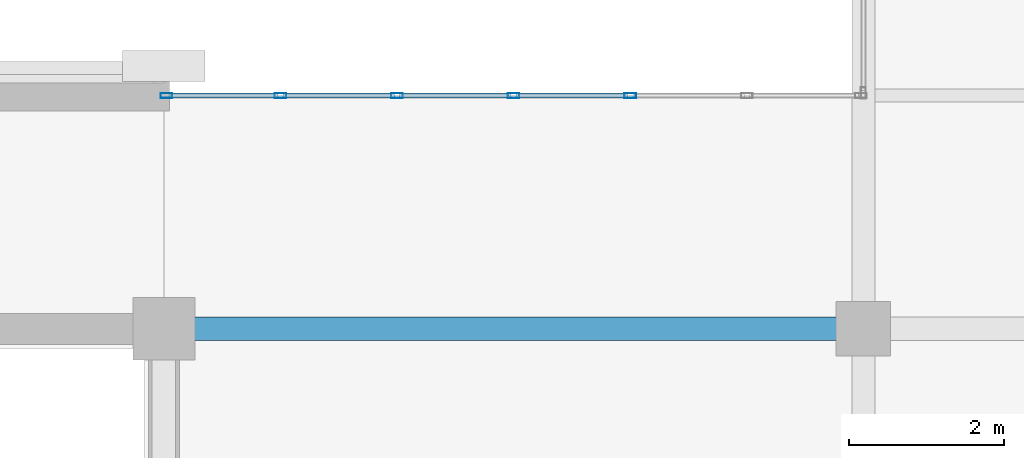
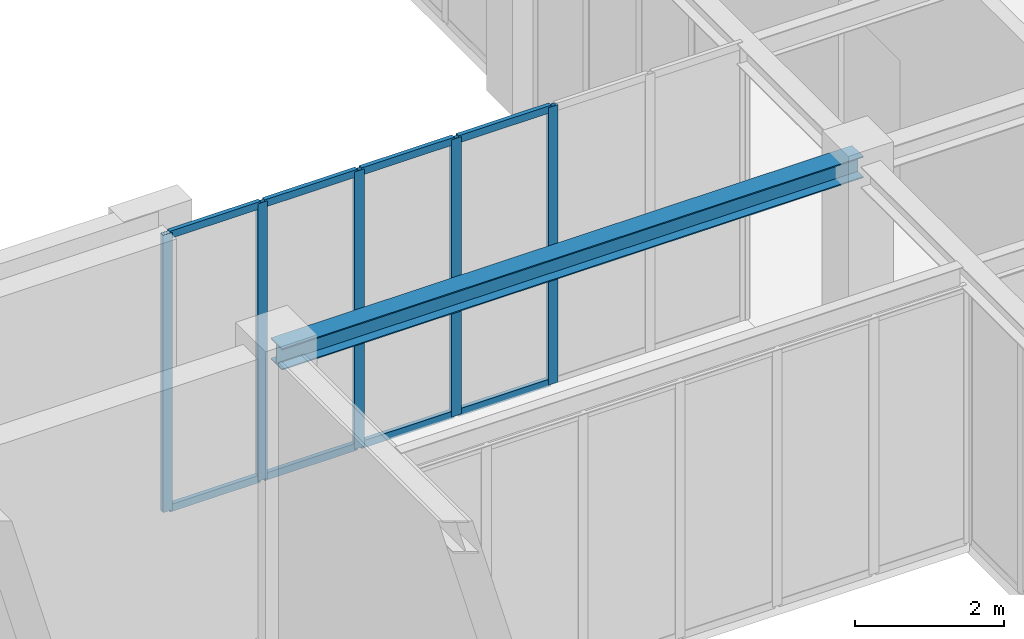
# One storey, part 35 of 92: 13 members, 1 beam, 1 element without a shape of its own.
"""IFC4 building model written with IfcOpenShell, lengths in metres."""

from ifc_helpers import new_model, si_unit, direction, frame, origin, origin_2d, place, context, subcontext, project, spatial, hollow_rectangle, i_section, extrude, material, material_profile, profile_set, type_object, element, aggregate, save


model = new_model("IFC4")

# Units and contexts
model_context = context("Model", 3, precision=1e-05, world=origin(), true_north=direction((0.0, 1.0)))
body_context = subcontext(model_context, "Body", "Model", "MODEL_VIEW")
ifc_project = project(units=[si_unit("LENGTHUNIT", "METRE"), si_unit("AREAUNIT", "SQUARE_METRE"), si_unit("VOLUMEUNIT", "CUBIC_METRE"), si_unit("PLANEANGLEUNIT", "RADIAN"), si_unit("MASSUNIT", "GRAM", prefix="KILO")], contexts=[model_context])

# Site, building, storey
site_placement = place(None, origin())
site = spatial("IfcSite", under=ifc_project, at=site_placement, CompositionType="ELEMENT")
building_placement = place(site_placement, origin())
building = spatial("IfcBuilding", under=site, at=building_placement, Name="Lykobir Media Centre", CompositionType="ELEMENT")
storey_placement = place(building_placement, frame((0.0, 0.0, 5.39990234375)))
storey = spatial("IfcBuildingStorey", under=building, at=storey_placement, Name="L01", CompositionType="ELEMENT", Elevation=5.39990234375)

# Curtain wall, members
ifc_material_1 = material(Name="Anodized Aluminium AW-6060", Category="aluminium")
curtain_wall_type = type_object("IfcCurtainWallType", Name="CW-BRIDGE", PredefinedType="NOTDEFINED", material=ifc_material_1)
curtain_wall_placement = place(storey_placement, origin())
curtain_wall = element("IfcCurtainWall", 1, at=curtain_wall_placement, inside=storey, type_object=curtain_wall_type, Name="Curtain wall CW2-L01-0043", PredefinedType="NOTDEFINED")
ifc_material_profile_1 = material_profile(ifc_material_1, hollow_rectangle(XDim=0.06494140625, YDim=0.14990234375, WallThickness=0.00341796875, at=origin_2d()), Name="ALU MULLION 65x150")
ifc_profile_set_1 = profile_set([ifc_material_profile_1], Name="Anodized Aluminium AW-6060")
member_type_1 = type_object("IfcMemberType", Name="CWM-150", PredefinedType="MULLION", material=ifc_profile_set_1)
member_1_placement = place(storey_placement, frame((81.032470703125, 21.0, 0.0), z_axis=(0.0, 0.0, 1.0), x_axis=(0.0, 1.0, 0.0)))
member_1 = element("IfcMember", 2, at=member_1_placement, type_object=member_type_1, Name="CW2-L01-0043 mullion 1", PredefinedType="MULLION", context=body_context, shape_type="SweptSolid", body=[
    extrude(hollow_rectangle(XDim=0.06494140625, YDim=0.14990234375, WallThickness=0.00341796875, at=origin_2d()), origin(), (0.0, 0.0, 1.0), 4.5400390625),
])
member_2_placement = place(storey_placement, frame((82.5, 21.0, 0.0), z_axis=(0.0, 0.0, 1.0), x_axis=(0.0, 1.0, 0.0)))
member_2 = element("IfcMember", 3, at=member_2_placement, type_object=member_type_1, Name="CW2-L01-0043 mullion 2", PredefinedType="MULLION", context=body_context, shape_type="SweptSolid", body=[
    extrude(hollow_rectangle(XDim=0.06494140625, YDim=0.14990234375, WallThickness=0.00341796875, at=origin_2d()), origin(), (0.0, 0.0, 1.0), 4.5400390625),
])
member_3_placement = place(storey_placement, frame((84.0, 21.0, 0.0), z_axis=(0.0, 0.0, 1.0), x_axis=(0.0, 1.0, 0.0)))
member_3 = element("IfcMember", 4, at=member_3_placement, type_object=member_type_1, Name="CW2-L01-0043 mullion 3", PredefinedType="MULLION", context=body_context, shape_type="SweptSolid", body=[
    extrude(hollow_rectangle(XDim=0.06494140625, YDim=0.14990234375, WallThickness=0.00341796875, at=origin_2d()), origin(), (0.0, 0.0, 1.0), 4.5400390625),
])
member_4_placement = place(storey_placement, frame((85.5, 21.0, 0.0), z_axis=(0.0, 0.0, 1.0), x_axis=(0.0, 1.0, 0.0)))
member_4 = element("IfcMember", 5, at=member_4_placement, type_object=member_type_1, Name="CW2-L01-0043 mullion 4", PredefinedType="MULLION", context=body_context, shape_type="SweptSolid", body=[
    extrude(hollow_rectangle(XDim=0.06494140625, YDim=0.14990234375, WallThickness=0.00341796875, at=origin_2d()), origin(), (0.0, 0.0, 1.0), 4.5400390625),
])
member_5_placement = place(storey_placement, frame((87.0, 21.0, 0.0), z_axis=(0.0, 0.0, 1.0), x_axis=(0.0, 1.0, 0.0)))
member_5 = element("IfcMember", 6, at=member_5_placement, type_object=member_type_1, Name="CW2-L01-0043 mullion 5", PredefinedType="MULLION", context=body_context, shape_type="SweptSolid", body=[
    extrude(hollow_rectangle(XDim=0.06494140625, YDim=0.14990234375, WallThickness=0.00341796875, at=origin_2d()), origin(), (0.0, 0.0, 1.0), 4.5400390625),
])
ifc_material_profile_2 = material_profile(ifc_material_1, hollow_rectangle(XDim=0.06494140625, YDim=0.1201171875, WallThickness=0.0029296875, at=origin_2d()), Name="ALU TRANSOM 65x120")
ifc_profile_set_2 = profile_set([ifc_material_profile_2], Name="Anodized Aluminium AW-6060")
member_type_2 = type_object("IfcMemberType", Name="CWT-120", PredefinedType="USERDEFINED", material=ifc_profile_set_2)
member_6_placement = place(storey_placement, frame((81.06494140625, 21.0, 0.03271484375), z_axis=(1.0, 0.0, 0.0), x_axis=(0.0, 1.0, 0.0)))
member_6 = element("IfcMember", 7, at=member_6_placement, type_object=member_type_2, Name="CW2-L01-0043 transom 1.1", ObjectType="TRANSOM", PredefinedType="USERDEFINED", context=body_context, shape_type="SweptSolid", body=[
    extrude(hollow_rectangle(XDim=0.06494140625, YDim=0.1201171875, WallThickness=0.0029296875, at=origin_2d()), origin(), (0.0, 0.0, 1.0), 1.402587890625),
])
member_7_placement = place(storey_placement, frame((81.06494140625, 21.0, 4.507568359375), z_axis=(1.0, 0.0, 0.0), x_axis=(0.0, 1.0, 0.0)))
member_7 = element("IfcMember", 8, at=member_7_placement, type_object=member_type_2, Name="CW2-L01-0043 transom 1.2", ObjectType="TRANSOM", PredefinedType="USERDEFINED", context=body_context, shape_type="SweptSolid", body=[
    extrude(hollow_rectangle(XDim=0.06494140625, YDim=0.1201171875, WallThickness=0.0029296875, at=origin_2d()), origin(), (0.0, 0.0, 1.0), 1.402587890625),
])
member_8_placement = place(storey_placement, frame((82.532470703125, 21.0, 0.03271484375), z_axis=(1.0, 0.0, 0.0), x_axis=(0.0, 1.0, 0.0)))
member_8 = element("IfcMember", 9, at=member_8_placement, type_object=member_type_2, Name="CW2-L01-0043 transom 2.1", ObjectType="TRANSOM", PredefinedType="USERDEFINED", context=body_context, shape_type="SweptSolid", body=[
    extrude(hollow_rectangle(XDim=0.06494140625, YDim=0.1201171875, WallThickness=0.0029296875, at=origin_2d()), origin(), (0.0, 0.0, 1.0), 1.43505859375),
])
member_9_placement = place(storey_placement, frame((82.532470703125, 21.0, 4.507568359375), z_axis=(1.0, 0.0, 0.0), x_axis=(0.0, 1.0, 0.0)))
member_9 = element("IfcMember", 10, at=member_9_placement, type_object=member_type_2, Name="CW2-L01-0043 transom 2.2", ObjectType="TRANSOM", PredefinedType="USERDEFINED", context=body_context, shape_type="SweptSolid", body=[
    extrude(hollow_rectangle(XDim=0.06494140625, YDim=0.1201171875, WallThickness=0.0029296875, at=origin_2d()), origin(), (0.0, 0.0, 1.0), 1.43505859375),
])
member_10_placement = place(storey_placement, frame((84.032470703125, 21.0, 0.03271484375), z_axis=(1.0, 0.0, 0.0), x_axis=(0.0, 1.0, 0.0)))
member_10 = element("IfcMember", 11, at=member_10_placement, type_object=member_type_2, Name="CW2-L01-0043 transom 3.1", ObjectType="TRANSOM", PredefinedType="USERDEFINED", context=body_context, shape_type="SweptSolid", body=[
    extrude(hollow_rectangle(XDim=0.06494140625, YDim=0.1201171875, WallThickness=0.0029296875, at=origin_2d()), origin(), (0.0, 0.0, 1.0), 1.43505859375),
])
member_11_placement = place(storey_placement, frame((84.032470703125, 21.0, 4.507568359375), z_axis=(1.0, 0.0, 0.0), x_axis=(0.0, 1.0, 0.0)))
member_11 = element("IfcMember", 12, at=member_11_placement, type_object=member_type_2, Name="CW2-L01-0043 transom 3.2", ObjectType="TRANSOM", PredefinedType="USERDEFINED", context=body_context, shape_type="SweptSolid", body=[
    extrude(hollow_rectangle(XDim=0.06494140625, YDim=0.1201171875, WallThickness=0.0029296875, at=origin_2d()), origin(), (0.0, 0.0, 1.0), 1.43505859375),
])
member_12_placement = place(storey_placement, frame((85.532470703125, 21.0, 0.03271484375), z_axis=(1.0, 0.0, 0.0), x_axis=(0.0, 1.0, 0.0)))
member_12 = element("IfcMember", 13, at=member_12_placement, type_object=member_type_2, Name="CW2-L01-0043 transom 4.1", ObjectType="TRANSOM", PredefinedType="USERDEFINED", context=body_context, shape_type="SweptSolid", body=[
    extrude(hollow_rectangle(XDim=0.06494140625, YDim=0.1201171875, WallThickness=0.0029296875, at=origin_2d()), origin(), (0.0, 0.0, 1.0), 1.43505859375),
])
member_13_placement = place(storey_placement, frame((85.532470703125, 21.0, 4.507568359375), z_axis=(1.0, 0.0, 0.0), x_axis=(0.0, 1.0, 0.0)))
member_13 = element("IfcMember", 14, at=member_13_placement, type_object=member_type_2, Name="CW2-L01-0043 transom 4.2", ObjectType="TRANSOM", PredefinedType="USERDEFINED", context=body_context, shape_type="SweptSolid", body=[
    extrude(hollow_rectangle(XDim=0.06494140625, YDim=0.1201171875, WallThickness=0.0029296875, at=origin_2d()), origin(), (0.0, 0.0, 1.0), 1.43505859375),
])
aggregate(curtain_wall, [member_1, member_2, member_3, member_4, member_5, member_6, member_7, member_8, member_9, member_10, member_11, member_12, member_13])

# Beam
ifc_material_2 = material(Name="Steel S355", Category="steel")
ifc_material_profile_3 = material_profile(ifc_material_2, i_section(OverallWidth=0.300048828125, OverallDepth=0.35009765625, WebThickness=0.010009765625, FlangeThickness=0.017578125, at=origin_2d()), Name="HEA 360")
ifc_profile_set_3 = profile_set([ifc_material_profile_3], Name="Steel S355")
beam_type = type_object("IfcBeamType", Name="SP-HEA360", PredefinedType="SPANDREL", material=ifc_profile_set_3)
beam_placement = place(storey_placement, frame((81.0, 18.0, 4.383056640625), z_axis=(1.0, 0.0, 0.0), x_axis=(0.0, 1.0, 0.0)))
element("IfcBeam", 15, at=beam_placement, inside=storey, type_object=beam_type, Name="Beam BM-L01-0810-0180-0900-0180-980", PredefinedType="SPANDREL", context=body_context, shape_type="SweptSolid", body=[
    extrude(i_section(OverallWidth=0.300048828125, OverallDepth=0.35009765625, WebThickness=0.010009765625, FlangeThickness=0.017578125, at=origin_2d()), origin(), (0.0, 0.0, 1.0), 9.0),
])

save(model, "model.ifc")
